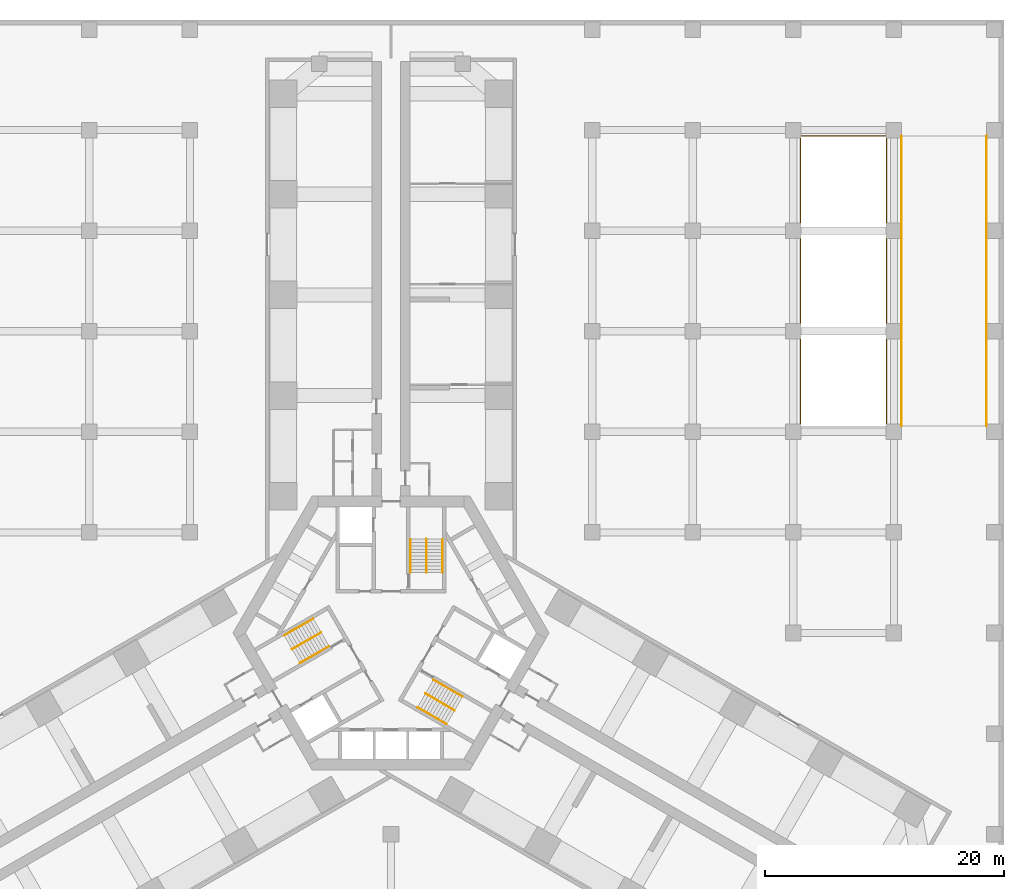
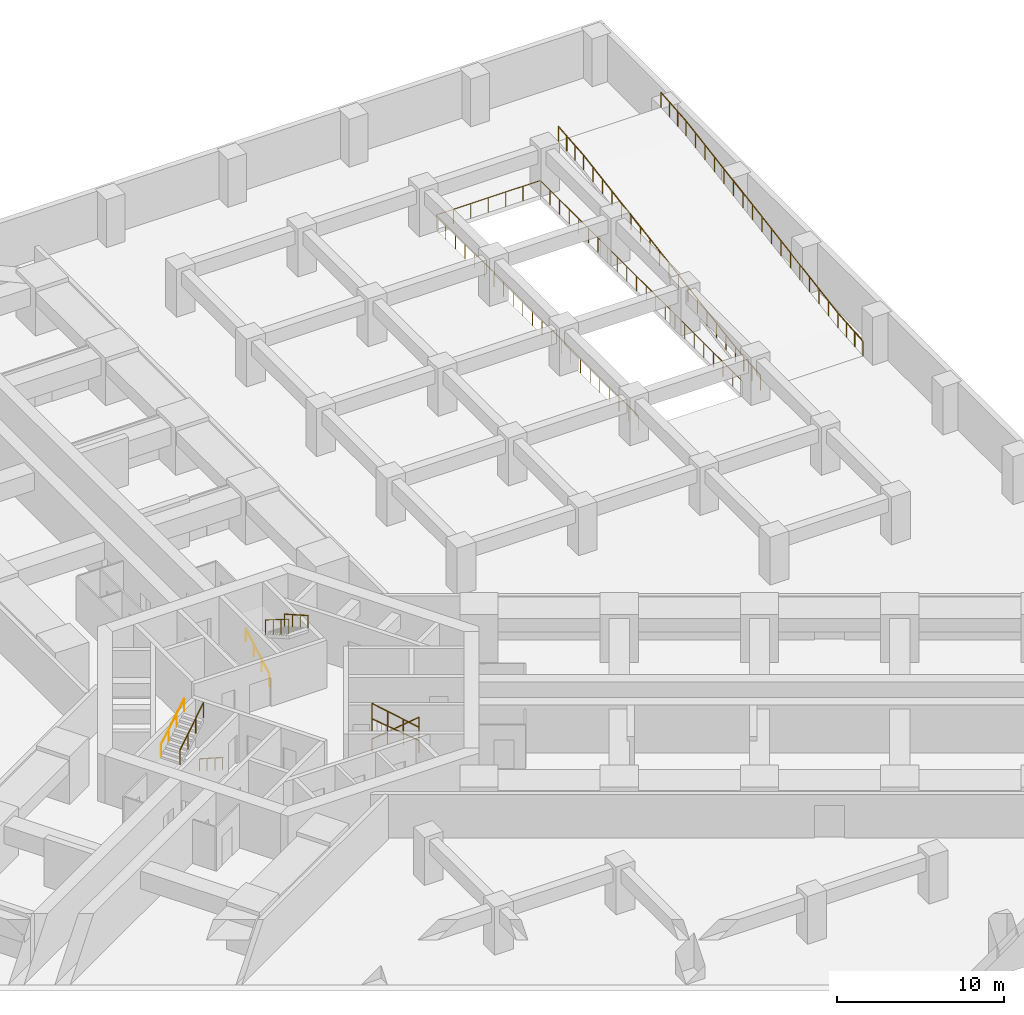
# One storey, part 11 of 11: 12 railings.
"""IFC4 building model written with IfcOpenShell, lengths in metres."""

from ifc_helpers import new_model, si_unit, direction, frame, origin, origin_2d, place, context, subcontext, project, spatial, circle, extrude, material, type_object, element, save


model = new_model("IFC4")

# Units and contexts
model_context = context("Model", 3, precision=1e-05, world=origin(), true_north=direction((0.0, 1.0)))
body_context = subcontext(model_context, "Body", "Model", "MODEL_VIEW")
ifc_project = project(units=[si_unit("LENGTHUNIT", "METRE"), si_unit("AREAUNIT", "SQUARE_METRE"), si_unit("VOLUMEUNIT", "CUBIC_METRE"), si_unit("PLANEANGLEUNIT", "RADIAN"), si_unit("MASSUNIT", "GRAM", prefix="KILO")], contexts=[model_context])

# Site, building, storey
site_placement = place(None, origin())
site = spatial("IfcSite", under=ifc_project, at=site_placement, CompositionType="ELEMENT")
building_placement = place(site_placement, origin())
building = spatial("IfcBuilding", under=site, at=building_placement, Name="Impinga Residences", CompositionType="ELEMENT")
storey_placement = place(building_placement, frame((0.0, 0.0, -7.0)))
storey = spatial("IfcBuildingStorey", under=building, at=storey_placement, Name="B2", CompositionType="ELEMENT", Elevation=-7.0)

# Railings
ifc_material_1 = material(Name="Steel guard, powder coated", Category="steel")
railing_type_1 = type_object("IfcRailingType", Name="GR1 stair guard 1100", PredefinedType="GUARDRAIL", material=ifc_material_1)
railing_1_placement = place(storey_placement, frame((2.949951171875, 7.830078125, 1.75)))
element("IfcRailing", 1, at=railing_1_placement, inside=storey, type_object=railing_type_1, Name="Stair guard GR1 ST1 B2", PredefinedType="GUARDRAIL", context=body_context, shape_type="SweptSolid", body=[
    extrude(circle(Radius=0.02392578125, at=origin_2d()), frame((0.0, 0.0, 1.076171875), z_axis=(0.0, -0.848002457836, 0.529992293815), x_axis=(1.0, 0.0, 0.0)), (0.0, 0.0, 1.0), 3.302001953125),
    extrude(circle(Radius=0.02099609375, at=origin_2d()), origin(), (0.0, 0.0, 1.0), 1.052001953125),
    extrude(circle(Radius=0.02099609375, at=origin_2d()), frame((0.0, -0.933349609375, 0.583251953125)), (0.0, 0.0, 1.0), 1.052001953125),
    extrude(circle(Radius=0.02099609375, at=origin_2d()), frame((0.0, -1.86669921875, 1.166748046875)), (0.0, 0.0, 1.0), 1.052001953125),
    extrude(circle(Radius=0.02099609375, at=origin_2d()), frame((0.0, -2.800048828125, 1.75)), (0.0, 0.0, 1.0), 1.052001953125),
])
railing_2_placement = place(storey_placement, frame((-8.255859375, -1.360107421875, 1.75)))
element("IfcRailing", 2, at=railing_2_placement, inside=storey, type_object=railing_type_1, Name="Stair guard GR1 ST2 B2", PredefinedType="GUARDRAIL", context=body_context, shape_type="SweptSolid", body=[
    extrude(circle(Radius=0.02392578125, at=origin_2d()), frame((0.0, 0.0, 1.076171875), z_axis=(0.734388012738, 0.423981158381, 0.530013418778), x_axis=(-0.49998411664, 0.866034573852, 0.0)), (0.0, 0.0, 1.0), 3.3017578125),
    extrude(circle(Radius=0.02099609375, at=origin_2d()), origin(), (0.0, 0.0, 1.0), 1.052001953125),
    extrude(circle(Radius=0.02099609375, at=origin_2d()), frame((0.808349609375, 0.466552734375, 0.583251953125)), (0.0, 0.0, 1.0), 1.052001953125),
    extrude(circle(Radius=0.02099609375, at=origin_2d()), frame((1.616455078125, 0.933349609375, 1.166748046875)), (0.0, 0.0, 1.0), 1.052001953125),
    extrude(circle(Radius=0.02099609375, at=origin_2d()), frame((2.4248046875, 1.39990234375, 1.75)), (0.0, 0.0, 1.0), 1.052001953125),
])
railing_3_placement = place(storey_placement, frame((5.305908203125, -6.4697265625, 1.75)))
element("IfcRailing", 3, at=railing_3_placement, inside=storey, type_object=railing_type_1, Name="Stair guard GR1 ST3 B2", PredefinedType="GUARDRAIL", context=body_context, shape_type="SweptSolid", body=[
    extrude(circle(Radius=0.02392578125, at=origin_2d()), frame((0.0, 0.0, 1.076171875), z_axis=(-0.734388012738, 0.423981158381, 0.530013418778), x_axis=(-0.49998411664, -0.866034573852, 0.0)), (0.0, 0.0, 1.0), 3.3017578125),
    extrude(circle(Radius=0.02099609375, at=origin_2d()), origin(), (0.0, 0.0, 1.0), 1.052001953125),
    extrude(circle(Radius=0.02099609375, at=origin_2d()), frame((-0.808349609375, 0.466552734375, 0.583251953125)), (0.0, 0.0, 1.0), 1.052001953125),
    extrude(circle(Radius=0.02099609375, at=origin_2d()), frame((-1.616455078125, 0.933349609375, 1.166748046875)), (0.0, 0.0, 1.0), 1.052001953125),
    extrude(circle(Radius=0.02099609375, at=origin_2d()), frame((-2.4248046875, 1.39990234375, 1.75)), (0.0, 0.0, 1.0), 1.052001953125),
])
ifc_material_2 = material(Name="Steel guard, galvanised", Category="steel")
railing_type_2 = type_object("IfcRailingType", Name="GR2 ramp and opening guard 1100", PredefinedType="GUARDRAIL", material=ifc_material_2)
railing_4_placement = place(storey_placement, frame((42.64990234375, 17.300048828125, 0.0)))
element("IfcRailing", 4, at=railing_4_placement, inside=storey, type_object=railing_type_2, Name="Ramp guard GR2 W B2", PredefinedType="GUARDRAIL", context=body_context, shape_type="SweptSolid", body=[
    extrude(circle(Radius=0.02392578125, at=origin_2d()), frame((0.0, 0.0, 1.076171875), z_axis=(0.0, 0.99661255374, 0.082240000773), x_axis=(-1.0, 0.0, 0.0)), (0.0, 0.0, 1.0), 3.01025390625),
    extrude(circle(Radius=0.02392578125, at=origin_2d()), frame((0.0, 3.0, 1.32373046875), z_axis=(0.0, 0.986642820524, 0.162898571841), x_axis=(-1.0, 0.0, 0.0)), (0.0, 0.0, 1.0), 18.4462890625),
    extrude(circle(Radius=0.02392578125, at=origin_2d()), frame((0.0, 21.199951171875, 4.32861328125), z_axis=(0.0, 0.99661255374, 0.082240000773), x_axis=(-1.0, 0.0, 0.0)), (0.0, 0.0, 1.0), 3.01025390625),
    extrude(circle(Radius=0.02099609375, at=origin_2d()), origin(), (0.0, 0.0, 1.0), 1.052001953125),
    extrude(circle(Radius=0.02099609375, at=origin_2d()), frame((0.0, 1.0, 0.08251953125)), (0.0, 0.0, 1.0), 1.052001953125),
    extrude(circle(Radius=0.02099609375, at=origin_2d()), frame((0.0, 2.0, 0.1650390625)), (0.0, 0.0, 1.0), 1.052001953125),
    extrude(circle(Radius=0.02099609375, at=origin_2d()), frame((0.0, 3.0, 0.24755859375)), (0.0, 0.0, 1.0), 1.052001953125),
    extrude(circle(Radius=0.02099609375, at=origin_2d()), frame((0.0, 4.137451171875, 0.435302734375)), (0.0, 0.0, 1.0), 1.052001953125),
    extrude(circle(Radius=0.02099609375, at=origin_2d()), frame((0.0, 5.27490234375, 0.623046875)), (0.0, 0.0, 1.0), 1.052001953125),
    extrude(circle(Radius=0.02099609375, at=origin_2d()), frame((0.0, 6.41259765625, 0.81103515625)), (0.0, 0.0, 1.0), 1.052001953125),
    extrude(circle(Radius=0.02099609375, at=origin_2d()), frame((0.0, 7.550048828125, 0.998779296875)), (0.0, 0.0, 1.0), 1.052001953125),
    extrude(circle(Radius=0.02099609375, at=origin_2d()), frame((0.0, 8.6875, 1.1865234375)), (0.0, 0.0, 1.0), 1.052001953125),
    extrude(circle(Radius=0.02099609375, at=origin_2d()), frame((0.0, 9.824951171875, 1.37451171875)), (0.0, 0.0, 1.0), 1.052001953125),
    extrude(circle(Radius=0.02099609375, at=origin_2d()), frame((0.0, 10.96240234375, 1.562255859375)), (0.0, 0.0, 1.0), 1.052001953125),
    extrude(circle(Radius=0.02099609375, at=origin_2d()), frame((0.0, 12.10009765625, 1.75)), (0.0, 0.0, 1.0), 1.052001953125),
    extrude(circle(Radius=0.02099609375, at=origin_2d()), frame((0.0, 13.237548828125, 1.937744140625)), (0.0, 0.0, 1.0), 1.052001953125),
    extrude(circle(Radius=0.02099609375, at=origin_2d()), frame((0.0, 14.375, 2.12548828125)), (0.0, 0.0, 1.0), 1.052001953125),
    extrude(circle(Radius=0.02099609375, at=origin_2d()), frame((0.0, 15.512451171875, 2.3134765625)), (0.0, 0.0, 1.0), 1.052001953125),
    extrude(circle(Radius=0.02099609375, at=origin_2d()), frame((0.0, 16.64990234375, 2.501220703125)), (0.0, 0.0, 1.0), 1.052001953125),
    extrude(circle(Radius=0.02099609375, at=origin_2d()), frame((0.0, 17.787353515625, 2.68896484375)), (0.0, 0.0, 1.0), 1.052001953125),
    extrude(circle(Radius=0.02099609375, at=origin_2d()), frame((0.0, 18.925048828125, 2.876953125)), (0.0, 0.0, 1.0), 1.052001953125),
    extrude(circle(Radius=0.02099609375, at=origin_2d()), frame((0.0, 20.0625, 3.064697265625)), (0.0, 0.0, 1.0), 1.052001953125),
    extrude(circle(Radius=0.02099609375, at=origin_2d()), frame((0.0, 21.199951171875, 3.25244140625)), (0.0, 0.0, 1.0), 1.052001953125),
    extrude(circle(Radius=0.02099609375, at=origin_2d()), frame((0.0, 22.199951171875, 3.3349609375)), (0.0, 0.0, 1.0), 1.052001953125),
    extrude(circle(Radius=0.02099609375, at=origin_2d()), frame((0.0, 23.199951171875, 3.41748046875)), (0.0, 0.0, 1.0), 1.052001953125),
    extrude(circle(Radius=0.02099609375, at=origin_2d()), frame((0.0, 24.199951171875, 3.5)), (0.0, 0.0, 1.0), 1.052001953125),
])
railing_5_placement = place(storey_placement, frame((49.75, 17.300048828125, 0.0)))
element("IfcRailing", 5, at=railing_5_placement, inside=storey, type_object=railing_type_2, Name="Ramp guard GR2 E B2", PredefinedType="GUARDRAIL", context=body_context, shape_type="SweptSolid", body=[
    extrude(circle(Radius=0.02392578125, at=origin_2d()), frame((0.0, 0.0, 1.076171875), z_axis=(0.0, 0.99661255374, 0.082240000773), x_axis=(-1.0, 0.0, 0.0)), (0.0, 0.0, 1.0), 3.01025390625),
    extrude(circle(Radius=0.02392578125, at=origin_2d()), frame((0.0, 3.0, 1.32373046875), z_axis=(0.0, 0.986642820524, 0.162898571841), x_axis=(-1.0, 0.0, 0.0)), (0.0, 0.0, 1.0), 18.4462890625),
    extrude(circle(Radius=0.02392578125, at=origin_2d()), frame((0.0, 21.199951171875, 4.32861328125), z_axis=(0.0, 0.99661255374, 0.082240000773), x_axis=(-1.0, 0.0, 0.0)), (0.0, 0.0, 1.0), 3.01025390625),
    extrude(circle(Radius=0.02099609375, at=origin_2d()), origin(), (0.0, 0.0, 1.0), 1.052001953125),
    extrude(circle(Radius=0.02099609375, at=origin_2d()), frame((0.0, 1.0, 0.08251953125)), (0.0, 0.0, 1.0), 1.052001953125),
    extrude(circle(Radius=0.02099609375, at=origin_2d()), frame((0.0, 2.0, 0.1650390625)), (0.0, 0.0, 1.0), 1.052001953125),
    extrude(circle(Radius=0.02099609375, at=origin_2d()), frame((0.0, 3.0, 0.24755859375)), (0.0, 0.0, 1.0), 1.052001953125),
    extrude(circle(Radius=0.02099609375, at=origin_2d()), frame((0.0, 4.137451171875, 0.435302734375)), (0.0, 0.0, 1.0), 1.052001953125),
    extrude(circle(Radius=0.02099609375, at=origin_2d()), frame((0.0, 5.27490234375, 0.623046875)), (0.0, 0.0, 1.0), 1.052001953125),
    extrude(circle(Radius=0.02099609375, at=origin_2d()), frame((0.0, 6.41259765625, 0.81103515625)), (0.0, 0.0, 1.0), 1.052001953125),
    extrude(circle(Radius=0.02099609375, at=origin_2d()), frame((0.0, 7.550048828125, 0.998779296875)), (0.0, 0.0, 1.0), 1.052001953125),
    extrude(circle(Radius=0.02099609375, at=origin_2d()), frame((0.0, 8.6875, 1.1865234375)), (0.0, 0.0, 1.0), 1.052001953125),
    extrude(circle(Radius=0.02099609375, at=origin_2d()), frame((0.0, 9.824951171875, 1.37451171875)), (0.0, 0.0, 1.0), 1.052001953125),
    extrude(circle(Radius=0.02099609375, at=origin_2d()), frame((0.0, 10.96240234375, 1.562255859375)), (0.0, 0.0, 1.0), 1.052001953125),
    extrude(circle(Radius=0.02099609375, at=origin_2d()), frame((0.0, 12.10009765625, 1.75)), (0.0, 0.0, 1.0), 1.052001953125),
    extrude(circle(Radius=0.02099609375, at=origin_2d()), frame((0.0, 13.237548828125, 1.937744140625)), (0.0, 0.0, 1.0), 1.052001953125),
    extrude(circle(Radius=0.02099609375, at=origin_2d()), frame((0.0, 14.375, 2.12548828125)), (0.0, 0.0, 1.0), 1.052001953125),
    extrude(circle(Radius=0.02099609375, at=origin_2d()), frame((0.0, 15.512451171875, 2.3134765625)), (0.0, 0.0, 1.0), 1.052001953125),
    extrude(circle(Radius=0.02099609375, at=origin_2d()), frame((0.0, 16.64990234375, 2.501220703125)), (0.0, 0.0, 1.0), 1.052001953125),
    extrude(circle(Radius=0.02099609375, at=origin_2d()), frame((0.0, 17.787353515625, 2.68896484375)), (0.0, 0.0, 1.0), 1.052001953125),
    extrude(circle(Radius=0.02099609375, at=origin_2d()), frame((0.0, 18.925048828125, 2.876953125)), (0.0, 0.0, 1.0), 1.052001953125),
    extrude(circle(Radius=0.02099609375, at=origin_2d()), frame((0.0, 20.0625, 3.064697265625)), (0.0, 0.0, 1.0), 1.052001953125),
    extrude(circle(Radius=0.02099609375, at=origin_2d()), frame((0.0, 21.199951171875, 3.25244140625)), (0.0, 0.0, 1.0), 1.052001953125),
    extrude(circle(Radius=0.02099609375, at=origin_2d()), frame((0.0, 22.199951171875, 3.3349609375)), (0.0, 0.0, 1.0), 1.052001953125),
    extrude(circle(Radius=0.02099609375, at=origin_2d()), frame((0.0, 23.199951171875, 3.41748046875)), (0.0, 0.0, 1.0), 1.052001953125),
    extrude(circle(Radius=0.02099609375, at=origin_2d()), frame((0.0, 24.199951171875, 3.5)), (0.0, 0.0, 1.0), 1.052001953125),
])
railing_6_placement = place(storey_placement, frame((34.199951171875, 17.300048828125, 0.0)))
element("IfcRailing", 6, at=railing_6_placement, inside=storey, type_object=railing_type_2, Name="Opening guard GR2 B2", PredefinedType="GUARDRAIL", context=body_context, shape_type="SweptSolid", body=[
    extrude(circle(Radius=0.02392578125, at=origin_2d()), frame((0.0, 0.0, 1.076171875), z_axis=(0.0, 1.0, 0.0), x_axis=(-1.0, 0.0, 0.0)), (0.0, 0.0, 1.0), 24.199951171875),
    extrude(circle(Radius=0.02392578125, at=origin_2d()), frame((0.0, 24.199951171875, 1.076171875), z_axis=(1.0, 0.0, 0.0), x_axis=(0.0, 1.0, 0.0)), (0.0, 0.0, 1.0), 7.199951171875),
    extrude(circle(Radius=0.02392578125, at=origin_2d()), frame((7.199951171875, 24.199951171875, 1.076171875), z_axis=(0.0, -1.0, 0.0), x_axis=(1.0, 0.0, 0.0)), (0.0, 0.0, 1.0), 24.199951171875),
    extrude(circle(Radius=0.02099609375, at=origin_2d()), origin(), (0.0, 0.0, 1.0), 1.052001953125),
    extrude(circle(Radius=0.02099609375, at=origin_2d()), frame((0.0, 1.15234375, 0.0)), (0.0, 0.0, 1.0), 1.052001953125),
    extrude(circle(Radius=0.02099609375, at=origin_2d()), frame((0.0, 2.3046875, 0.0)), (0.0, 0.0, 1.0), 1.052001953125),
    extrude(circle(Radius=0.02099609375, at=origin_2d()), frame((0.0, 3.45703125, 0.0)), (0.0, 0.0, 1.0), 1.052001953125),
    extrude(circle(Radius=0.02099609375, at=origin_2d()), frame((0.0, 4.609619140625, 0.0)), (0.0, 0.0, 1.0), 1.052001953125),
    extrude(circle(Radius=0.02099609375, at=origin_2d()), frame((0.0, 5.761962890625, 0.0)), (0.0, 0.0, 1.0), 1.052001953125),
    extrude(circle(Radius=0.02099609375, at=origin_2d()), frame((0.0, 6.914306640625, 0.0)), (0.0, 0.0, 1.0), 1.052001953125),
    extrude(circle(Radius=0.02099609375, at=origin_2d()), frame((0.0, 8.066650390625, 0.0)), (0.0, 0.0, 1.0), 1.052001953125),
    extrude(circle(Radius=0.02099609375, at=origin_2d()), frame((0.0, 9.218994140625, 0.0)), (0.0, 0.0, 1.0), 1.052001953125),
    extrude(circle(Radius=0.02099609375, at=origin_2d()), frame((0.0, 10.371337890625, 0.0)), (0.0, 0.0, 1.0), 1.052001953125),
    extrude(circle(Radius=0.02099609375, at=origin_2d()), frame((0.0, 11.523681640625, 0.0)), (0.0, 0.0, 1.0), 1.052001953125),
    extrude(circle(Radius=0.02099609375, at=origin_2d()), frame((0.0, 12.67626953125, 0.0)), (0.0, 0.0, 1.0), 1.052001953125),
    extrude(circle(Radius=0.02099609375, at=origin_2d()), frame((0.0, 13.82861328125, 0.0)), (0.0, 0.0, 1.0), 1.052001953125),
    extrude(circle(Radius=0.02099609375, at=origin_2d()), frame((0.0, 14.98095703125, 0.0)), (0.0, 0.0, 1.0), 1.052001953125),
    extrude(circle(Radius=0.02099609375, at=origin_2d()), frame((0.0, 16.13330078125, 0.0)), (0.0, 0.0, 1.0), 1.052001953125),
    extrude(circle(Radius=0.02099609375, at=origin_2d()), frame((0.0, 17.28564453125, 0.0)), (0.0, 0.0, 1.0), 1.052001953125),
    extrude(circle(Radius=0.02099609375, at=origin_2d()), frame((0.0, 18.43798828125, 0.0)), (0.0, 0.0, 1.0), 1.052001953125),
    extrude(circle(Radius=0.02099609375, at=origin_2d()), frame((0.0, 19.59033203125, 0.0)), (0.0, 0.0, 1.0), 1.052001953125),
    extrude(circle(Radius=0.02099609375, at=origin_2d()), frame((0.0, 20.742919921875, 0.0)), (0.0, 0.0, 1.0), 1.052001953125),
    extrude(circle(Radius=0.02099609375, at=origin_2d()), frame((0.0, 21.895263671875, 0.0)), (0.0, 0.0, 1.0), 1.052001953125),
    extrude(circle(Radius=0.02099609375, at=origin_2d()), frame((0.0, 23.047607421875, 0.0)), (0.0, 0.0, 1.0), 1.052001953125),
    extrude(circle(Radius=0.02099609375, at=origin_2d()), frame((0.0, 24.199951171875, 0.0)), (0.0, 0.0, 1.0), 1.052001953125),
    extrude(circle(Radius=0.02099609375, at=origin_2d()), frame((1.199951171875, 24.199951171875, 0.0)), (0.0, 0.0, 1.0), 1.052001953125),
    extrude(circle(Radius=0.02099609375, at=origin_2d()), frame((2.39990234375, 24.199951171875, 0.0)), (0.0, 0.0, 1.0), 1.052001953125),
    extrude(circle(Radius=0.02099609375, at=origin_2d()), frame((3.60009765625, 24.199951171875, 0.0)), (0.0, 0.0, 1.0), 1.052001953125),
    extrude(circle(Radius=0.02099609375, at=origin_2d()), frame((4.800048828125, 24.199951171875, 0.0)), (0.0, 0.0, 1.0), 1.052001953125),
    extrude(circle(Radius=0.02099609375, at=origin_2d()), frame((6.0, 24.199951171875, 0.0)), (0.0, 0.0, 1.0), 1.052001953125),
    extrude(circle(Radius=0.02099609375, at=origin_2d()), frame((7.199951171875, 24.199951171875, 0.0)), (0.0, 0.0, 1.0), 1.052001953125),
    extrude(circle(Radius=0.02099609375, at=origin_2d()), frame((7.199951171875, 23.047607421875, 0.0)), (0.0, 0.0, 1.0), 1.052001953125),
    extrude(circle(Radius=0.02099609375, at=origin_2d()), frame((7.199951171875, 21.895263671875, 0.0)), (0.0, 0.0, 1.0), 1.052001953125),
    extrude(circle(Radius=0.02099609375, at=origin_2d()), frame((7.199951171875, 20.742919921875, 0.0)), (0.0, 0.0, 1.0), 1.052001953125),
    extrude(circle(Radius=0.02099609375, at=origin_2d()), frame((7.199951171875, 19.59033203125, 0.0)), (0.0, 0.0, 1.0), 1.052001953125),
    extrude(circle(Radius=0.02099609375, at=origin_2d()), frame((7.199951171875, 18.43798828125, 0.0)), (0.0, 0.0, 1.0), 1.052001953125),
    extrude(circle(Radius=0.02099609375, at=origin_2d()), frame((7.199951171875, 17.28564453125, 0.0)), (0.0, 0.0, 1.0), 1.052001953125),
    extrude(circle(Radius=0.02099609375, at=origin_2d()), frame((7.199951171875, 16.13330078125, 0.0)), (0.0, 0.0, 1.0), 1.052001953125),
    extrude(circle(Radius=0.02099609375, at=origin_2d()), frame((7.199951171875, 14.98095703125, 0.0)), (0.0, 0.0, 1.0), 1.052001953125),
    extrude(circle(Radius=0.02099609375, at=origin_2d()), frame((7.199951171875, 13.82861328125, 0.0)), (0.0, 0.0, 1.0), 1.052001953125),
    extrude(circle(Radius=0.02099609375, at=origin_2d()), frame((7.199951171875, 12.67626953125, 0.0)), (0.0, 0.0, 1.0), 1.052001953125),
    extrude(circle(Radius=0.02099609375, at=origin_2d()), frame((7.199951171875, 11.523681640625, 0.0)), (0.0, 0.0, 1.0), 1.052001953125),
    extrude(circle(Radius=0.02099609375, at=origin_2d()), frame((7.199951171875, 10.371337890625, 0.0)), (0.0, 0.0, 1.0), 1.052001953125),
    extrude(circle(Radius=0.02099609375, at=origin_2d()), frame((7.199951171875, 9.218994140625, 0.0)), (0.0, 0.0, 1.0), 1.052001953125),
    extrude(circle(Radius=0.02099609375, at=origin_2d()), frame((7.199951171875, 8.066650390625, 0.0)), (0.0, 0.0, 1.0), 1.052001953125),
    extrude(circle(Radius=0.02099609375, at=origin_2d()), frame((7.199951171875, 6.914306640625, 0.0)), (0.0, 0.0, 1.0), 1.052001953125),
    extrude(circle(Radius=0.02099609375, at=origin_2d()), frame((7.199951171875, 5.761962890625, 0.0)), (0.0, 0.0, 1.0), 1.052001953125),
    extrude(circle(Radius=0.02099609375, at=origin_2d()), frame((7.199951171875, 4.609619140625, 0.0)), (0.0, 0.0, 1.0), 1.052001953125),
    extrude(circle(Radius=0.02099609375, at=origin_2d()), frame((7.199951171875, 3.45703125, 0.0)), (0.0, 0.0, 1.0), 1.052001953125),
    extrude(circle(Radius=0.02099609375, at=origin_2d()), frame((7.199951171875, 2.3046875, 0.0)), (0.0, 0.0, 1.0), 1.052001953125),
    extrude(circle(Radius=0.02099609375, at=origin_2d()), frame((7.199951171875, 1.15234375, 0.0)), (0.0, 0.0, 1.0), 1.052001953125),
    extrude(circle(Radius=0.02099609375, at=origin_2d()), frame((7.199951171875, 0.0, 0.0)), (0.0, 0.0, 1.0), 1.052001953125),
])
ifc_material_3 = material(Name="Steel handrail tube 42 mm, powder coated", Category="steel")
railing_type_3 = type_object("IfcRailingType", Name="HR1 stair handrail, 42 mm steel tube, 900 above the pitch line", PredefinedType="HANDRAIL", material=ifc_material_3)
railing_7_placement = place(storey_placement, frame((1.62109375, 5.030029296875, 0.1591796875)))
element("IfcRailing", 7, at=railing_7_placement, inside=storey, type_object=railing_type_3, Name="Stair handrail HR1 ST1 B2", PredefinedType="HANDRAIL", context=body_context, shape_type="SweptSolid", body=[
    extrude(circle(Radius=0.02099609375, at=origin_2d()), frame((0.0, 0.0, 0.87890625), z_axis=(0.0, 0.869472097993, 0.493982055151), x_axis=(-1.0, 0.0, 0.0)), (0.0, 0.0, 1.0), 3.220458984375),
    extrude(circle(Radius=0.012451171875, at=origin_2d()), origin(), (0.0, 0.0, 1.0), 0.85791015625),
    extrude(circle(Radius=0.012451171875, at=origin_2d()), frame((0.0, 0.933349609375, 0.5302734375)), (0.0, 0.0, 1.0), 0.85791015625),
    extrude(circle(Radius=0.012451171875, at=origin_2d()), frame((0.0, 1.86669921875, 1.060546875)), (0.0, 0.0, 1.0), 0.85791015625),
    extrude(circle(Radius=0.012451171875, at=origin_2d()), frame((0.0, 2.800048828125, 1.5908203125)), (0.0, 0.0, 1.0), 0.85791015625),
])
railing_8_placement = place(storey_placement, frame((4.279052734375, 7.830078125, 1.9091796875)))
element("IfcRailing", 8, at=railing_8_placement, inside=storey, type_object=railing_type_3, Name="Stair handrail HR1 ST1 B2", PredefinedType="HANDRAIL", context=body_context, shape_type="SweptSolid", body=[
    extrude(circle(Radius=0.02099609375, at=origin_2d()), frame((0.0, 0.0, 0.87890625), z_axis=(0.0, -0.869472097993, 0.493982055151), x_axis=(1.0, 0.0, 0.0)), (0.0, 0.0, 1.0), 3.220458984375),
    extrude(circle(Radius=0.012451171875, at=origin_2d()), origin(), (0.0, 0.0, 1.0), 0.85791015625),
    extrude(circle(Radius=0.012451171875, at=origin_2d()), frame((0.0, -0.933349609375, 0.5302734375)), (0.0, 0.0, 1.0), 0.85791015625),
    extrude(circle(Radius=0.012451171875, at=origin_2d()), frame((0.0, -1.86669921875, 1.060546875)), (0.0, 0.0, 1.0), 0.85791015625),
    extrude(circle(Radius=0.012451171875, at=origin_2d()), frame((0.0, -2.800048828125, 1.5908203125)), (0.0, 0.0, 1.0), 0.85791015625),
])
railing_9_placement = place(storey_placement, frame((-5.16650390625, -1.111083984375, 0.1591796875)))
element("IfcRailing", 9, at=railing_9_placement, inside=storey, type_object=railing_type_3, Name="Stair handrail HR1 ST2 B2", PredefinedType="HANDRAIL", context=body_context, shape_type="SweptSolid", body=[
    extrude(circle(Radius=0.02099609375, at=origin_2d()), frame((0.0, 0.0, 0.87890625), z_axis=(-0.752990723159, -0.434753024999, 0.493958275657), x_axis=(0.500011755427, -0.866018616679, 0.0)), (0.0, 0.0, 1.0), 3.220458984375),
    extrude(circle(Radius=0.012451171875, at=origin_2d()), origin(), (0.0, 0.0, 1.0), 0.85791015625),
    extrude(circle(Radius=0.012451171875, at=origin_2d()), frame((-0.808349609375, -0.466796875, 0.5302734375)), (0.0, 0.0, 1.0), 0.85791015625),
    extrude(circle(Radius=0.012451171875, at=origin_2d()), frame((-1.61669921875, -0.933349609375, 1.060546875)), (0.0, 0.0, 1.0), 0.85791015625),
    extrude(circle(Radius=0.012451171875, at=origin_2d()), frame((-2.425048828125, -1.400146484375, 1.5908203125)), (0.0, 0.0, 1.0), 0.85791015625),
])
railing_10_placement = place(storey_placement, frame((-8.92041015625, -0.209228515625, 1.9091796875)))
element("IfcRailing", 10, at=railing_10_placement, inside=storey, type_object=railing_type_3, Name="Stair handrail HR1 ST2 B2", PredefinedType="HANDRAIL", context=body_context, shape_type="SweptSolid", body=[
    extrude(circle(Radius=0.02099609375, at=origin_2d()), frame((0.0, 0.0, 0.87890625), z_axis=(0.752982712915, 0.434716358826, 0.494002754466), x_axis=(-0.49998411664, 0.866034573852, 0.0)), (0.0, 0.0, 1.0), 3.22021484375),
    extrude(circle(Radius=0.012451171875, at=origin_2d()), origin(), (0.0, 0.0, 1.0), 0.85791015625),
    extrude(circle(Radius=0.012451171875, at=origin_2d()), frame((0.808349609375, 0.466552734375, 0.5302734375)), (0.0, 0.0, 1.0), 0.85791015625),
    extrude(circle(Radius=0.012451171875, at=origin_2d()), frame((1.616455078125, 0.933349609375, 1.060546875)), (0.0, 0.0, 1.0), 0.85791015625),
    extrude(circle(Radius=0.012451171875, at=origin_2d()), frame((2.4248046875, 1.39990234375, 1.5908203125)), (0.0, 0.0, 1.0), 0.85791015625),
])
railing_11_placement = place(storey_placement, frame((3.545654296875, -3.9189453125, 0.1591796875)))
element("IfcRailing", 11, at=railing_11_placement, inside=storey, type_object=railing_type_3, Name="Stair handrail HR1 ST3 B2", PredefinedType="HANDRAIL", context=body_context, shape_type="SweptSolid", body=[
    extrude(circle(Radius=0.02099609375, at=origin_2d()), frame((0.0, 0.0, 0.87890625), z_axis=(0.752982712915, -0.434716358826, 0.494002754466), x_axis=(0.49998411664, 0.866034573852, 0.0)), (0.0, 0.0, 1.0), 3.22021484375),
    extrude(circle(Radius=0.012451171875, at=origin_2d()), origin(), (0.0, 0.0, 1.0), 0.85791015625),
    extrude(circle(Radius=0.012451171875, at=origin_2d()), frame((0.808349609375, -0.466552734375, 0.5302734375)), (0.0, 0.0, 1.0), 0.85791015625),
    extrude(circle(Radius=0.012451171875, at=origin_2d()), frame((1.616455078125, -0.933349609375, 1.060546875)), (0.0, 0.0, 1.0), 0.85791015625),
    extrude(circle(Radius=0.012451171875, at=origin_2d()), frame((2.4248046875, -1.39990234375, 1.5908203125)), (0.0, 0.0, 1.0), 0.85791015625),
])
railing_12_placement = place(storey_placement, frame((4.641357421875, -7.62060546875, 1.9091796875)))
element("IfcRailing", 12, at=railing_12_placement, inside=storey, type_object=railing_type_3, Name="Stair handrail HR1 ST3 B2", PredefinedType="HANDRAIL", context=body_context, shape_type="SweptSolid", body=[
    extrude(circle(Radius=0.02099609375, at=origin_2d()), frame((0.0, 0.0, 0.87890625), z_axis=(-0.752982712915, 0.434716358826, 0.494002754466), x_axis=(-0.49998411664, -0.866034573852, 0.0)), (0.0, 0.0, 1.0), 3.22021484375),
    extrude(circle(Radius=0.012451171875, at=origin_2d()), origin(), (0.0, 0.0, 1.0), 0.85791015625),
    extrude(circle(Radius=0.012451171875, at=origin_2d()), frame((-0.808349609375, 0.466552734375, 0.5302734375)), (0.0, 0.0, 1.0), 0.85791015625),
    extrude(circle(Radius=0.012451171875, at=origin_2d()), frame((-1.616455078125, 0.933349609375, 1.060546875)), (0.0, 0.0, 1.0), 0.85791015625),
    extrude(circle(Radius=0.012451171875, at=origin_2d()), frame((-2.4248046875, 1.39990234375, 1.5908203125)), (0.0, 0.0, 1.0), 0.85791015625),
])

save(model, "model.ifc")
